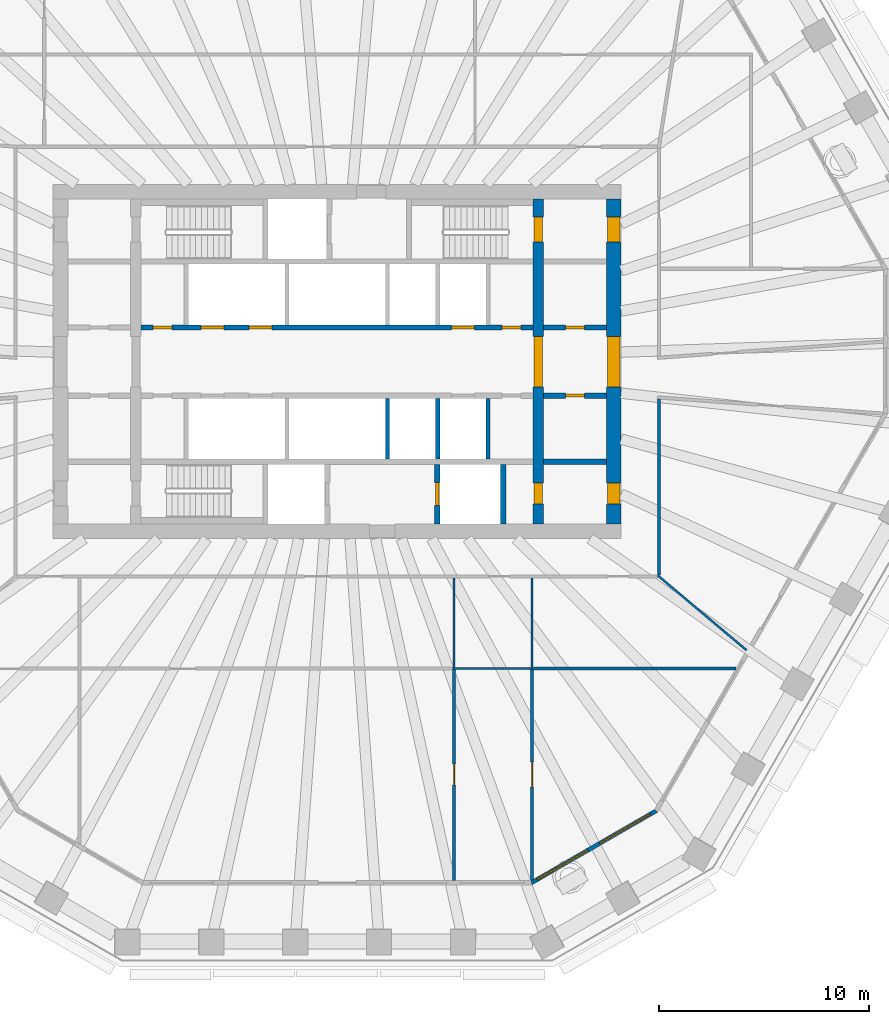
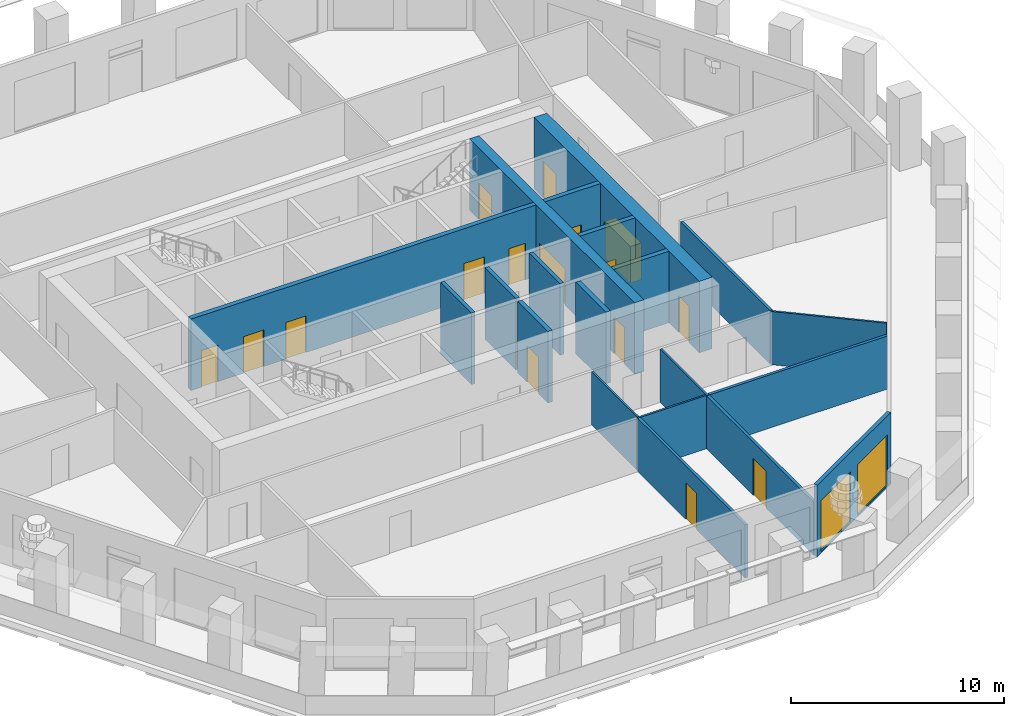
# One storey, part 5 of 12: 20 walls, 16 doors, 2 windows, 18 openings.
"""IFC4 building model written with IfcOpenShell, lengths in metres."""

from ifc_helpers import new_model, si_unit, direction, frame, frame_2d, origin, place, context, subcontext, project, spatial, polyline, rectangle, outline, extrude, material, layer, layer_set, type_object, element, fill, save


model = new_model("IFC4")

# Units and contexts
model_context = context("Model", 3, precision=1e-05, world=origin(), true_north=direction((0.0, 1.0)))
body_context = subcontext(model_context, "Body", "Model", "MODEL_VIEW")
ifc_project = project(units=[si_unit("LENGTHUNIT", "METRE"), si_unit("AREAUNIT", "SQUARE_METRE"), si_unit("VOLUMEUNIT", "CUBIC_METRE"), si_unit("PLANEANGLEUNIT", "RADIAN"), si_unit("MASSUNIT", "GRAM", prefix="KILO")], contexts=[model_context])

# Site, building, storey
site_placement = place(None, origin())
site = spatial("IfcSite", under=ifc_project, at=site_placement, CompositionType="ELEMENT")
building_placement = place(site_placement, origin())
building = spatial("IfcBuilding", under=site, at=building_placement, Name="Frailejon Research Tower", CompositionType="ELEMENT")
storey_placement = place(building_placement, frame((0.0, 0.0, 176.0)))
storey = spatial("IfcBuildingStorey", under=building, at=storey_placement, Name="L38", CompositionType="ELEMENT", Elevation=176.0)

# Wall, openings, doors
ifc_material_1 = material(Name="Concrete C60/75", Category="concrete")
ifc_layer_1 = layer(ifc_material_1, 0.5)
ifc_layer_set_1 = layer_set([ifc_layer_1], Name="Core shear wall 500 C60/75")
wall_type_1 = type_object("IfcWallType", Name="Core shear wall 500 C60/75", PredefinedType="SHEAR", material=ifc_layer_set_1)
wall_1_placement = place(storey_placement, frame((9.60009765625, -7.75, 0.0), z_axis=(0.0, 0.0, 1.0), x_axis=(0.0, 1.0, 0.0)))
wall_1 = element("IfcWall", 1, at=wall_1_placement, inside=storey, type_object=wall_type_1, Name="Core shear wall", PredefinedType="SHEAR", context=body_context, shape_type="SweptSolid", body=[
    extrude(rectangle(XDim=15.5, YDim=0.5, at=frame_2d((7.75, 0.0))), origin(), (0.0, 0.0, 1.0), 4.10009765625),
])
opening_1_placement = place(wall_1_placement, frame((6.550048828125, 0.0, 0.0)))
opening_1 = element("IfcOpeningElement", 2, at=opening_1_placement, cuts=wall_1, Name="Opening D2", PredefinedType="OPENING", context=body_context, shape_type="SweptSolid", body=[
    extrude(rectangle(XDim=2.39990234375, YDim=2.10009765625, at=frame_2d((1.199951171875, 1.050048828125))), frame((0.0, 0.260009765625, 0.0), z_axis=(0.0, -1.0, 0.0), x_axis=(1.0, 0.0, 0.0)), (0.0, 0.0, 1.0), 0.52001953125),
])
opening_2_placement = place(wall_1_placement, frame((13.449951171875, 0.0, 0.0)))
opening_2 = element("IfcOpeningElement", 3, at=opening_2_placement, cuts=wall_1, Name="Opening D1", PredefinedType="OPENING", context=body_context, shape_type="SweptSolid", body=[
    extrude(rectangle(XDim=1.199951171875, YDim=2.10009765625, at=frame_2d((0.60009765625, 1.050048828125))), frame((0.0, 0.260009765625, 0.0), z_axis=(0.0, -1.0, 0.0), x_axis=(1.0, 0.0, 0.0)), (0.0, 0.0, 1.0), 0.52001953125),
])
opening_3_placement = place(wall_1_placement, frame((0.949951171875, 0.0, 0.0)))
opening_3 = element("IfcOpeningElement", 4, at=opening_3_placement, cuts=wall_1, Name="Opening D4", PredefinedType="OPENING", context=body_context, shape_type="SweptSolid", body=[
    extrude(rectangle(XDim=1.0, YDim=2.10009765625, at=frame_2d((0.5, 1.050048828125))), frame((0.0, 0.260009765625, 0.0), z_axis=(0.0, -1.0, 0.0), x_axis=(1.0, 0.0, 0.0)), (0.0, 0.0, 1.0), 0.52001953125),
])
ifc_material_2 = material(Name="Steel", Category="steel")
door_type_1 = type_object("IfcDoorType", Name="Lobby double door", OperationType="DOUBLE_DOOR_SINGLE_SWING", PredefinedType="DOOR", material=ifc_material_2)
door_1_placement = place(opening_1_placement, origin())
door_1 = element("IfcDoor", 5, at=door_1_placement, inside=storey, type_object=door_type_1, Name="Lobby door", OperationType="DOUBLE_DOOR_SINGLE_SWING", OverallHeight=2.10009765625, OverallWidth=2.39990234375, PredefinedType="DOOR", context=body_context, shape_type="SweptSolid", body=[
    extrude(rectangle(XDim=2.39990234375, YDim=2.10009765625, at=frame_2d((1.199951171875, 1.050048828125))), frame((0.0, 0.199951171875, 0.0), z_axis=(0.0, -1.0, 0.0), x_axis=(1.0, 0.0, 0.0)), (0.0, 0.0, 1.0), 0.39990234375),
])
fill(opening_1, door_1)
ifc_material_3 = material(Name="Steel", Category="steel")
door_type_2 = type_object("IfcDoorType", Name="Service door", OperationType="SINGLE_SWING_LEFT", PredefinedType="DOOR", material=ifc_material_3)
door_2_placement = place(opening_3_placement, origin())
door_2 = element("IfcDoor", 6, at=door_2_placement, inside=storey, type_object=door_type_2, Name="Riser door", OperationType="SINGLE_SWING_LEFT", OverallHeight=2.10009765625, OverallWidth=1.0, PredefinedType="DOOR", context=body_context, shape_type="SweptSolid", body=[
    extrude(rectangle(XDim=1.0, YDim=2.10009765625, at=frame_2d((0.5, 1.050048828125))), frame((0.0, 0.199951171875, 0.0), z_axis=(0.0, -1.0, 0.0), x_axis=(1.0, 0.0, 0.0)), (0.0, 0.0, 1.0), 0.39990234375),
])
fill(opening_3, door_2)
ifc_material_4 = material(Name="Steel", Category="steel")
door_type_3 = type_object("IfcDoorType", Name="Stair door", OperationType="SINGLE_SWING_LEFT", PredefinedType="DOOR", material=ifc_material_4)
door_3_placement = place(opening_2_placement, origin())
door_3 = element("IfcDoor", 7, at=door_3_placement, inside=storey, type_object=door_type_3, Name="Stair door ST3", OperationType="SINGLE_SWING_LEFT", OverallHeight=2.10009765625, OverallWidth=1.199951171875, PredefinedType="DOOR", context=body_context, shape_type="SweptSolid", body=[
    extrude(rectangle(XDim=1.199951171875, YDim=2.10009765625, at=frame_2d((0.60009765625, 1.050048828125))), frame((0.0, 0.199951171875, 0.0), z_axis=(0.0, -1.0, 0.0), x_axis=(1.0, 0.0, 0.0)), (0.0, 0.0, 1.0), 0.39990234375),
])
fill(opening_2, door_3)

ifc_material_5 = material(Name="Concrete C60/75", Category="concrete")
ifc_layer_2 = layer(ifc_material_5, 0.699951171875)
ifc_layer_set_2 = layer_set([ifc_layer_2], Name="Core shear wall 700 C60/75")
wall_type_2 = type_object("IfcWallType", Name="Core shear wall 700 C60/75", PredefinedType="SHEAR", material=ifc_layer_set_2)
wall_2_placement = place(storey_placement, frame((13.199951171875, -7.75, 0.0), z_axis=(0.0, 0.0, 1.0), x_axis=(0.0, 1.0, 0.0)))
wall_2 = element("IfcWall", 8, at=wall_2_placement, inside=storey, type_object=wall_type_2, Name="Core shear wall", PredefinedType="SHEAR", context=body_context, shape_type="SweptSolid", body=[
    extrude(rectangle(XDim=15.5, YDim=0.699951171875, at=frame_2d((7.75, 0.0))), origin(), (0.0, 0.0, 1.0), 4.10009765625),
])
opening_4_placement = place(wall_2_placement, frame((6.550048828125, 0.0, 0.0)))
opening_4 = element("IfcOpeningElement", 9, at=opening_4_placement, cuts=wall_2, Name="Opening D2", PredefinedType="OPENING", context=body_context, shape_type="SweptSolid", body=[
    extrude(rectangle(XDim=2.39990234375, YDim=2.10009765625, at=frame_2d((1.199951171875, 1.050048828125))), frame((0.0, 0.35986328125, 0.0), z_axis=(0.0, -1.0, 0.0), x_axis=(1.0, 0.0, 0.0)), (0.0, 0.0, 1.0), 0.719970703125),
])
opening_5_placement = place(wall_2_placement, frame((13.449951171875, 0.0, 0.0)))
opening_5 = element("IfcOpeningElement", 10, at=opening_5_placement, cuts=wall_2, Name="Opening D7", PredefinedType="OPENING", context=body_context, shape_type="SweptSolid", body=[
    extrude(rectangle(XDim=1.199951171875, YDim=2.10009765625, at=frame_2d((0.60009765625, 1.050048828125))), frame((0.0, 0.35986328125, 0.0), z_axis=(0.0, -1.0, 0.0), x_axis=(1.0, 0.0, 0.0)), (0.0, 0.0, 1.0), 0.719970703125),
])
opening_6_placement = place(wall_2_placement, frame((0.949951171875, 0.0, 0.0)))
opening_6 = element("IfcOpeningElement", 11, at=opening_6_placement, cuts=wall_2, Name="Opening D4", PredefinedType="OPENING", context=body_context, shape_type="SweptSolid", body=[
    extrude(rectangle(XDim=1.0, YDim=2.10009765625, at=frame_2d((0.5, 1.050048828125))), frame((0.0, 0.35986328125, 0.0), z_axis=(0.0, -1.0, 0.0), x_axis=(1.0, 0.0, 0.0)), (0.0, 0.0, 1.0), 0.719970703125),
])
door_4_placement = place(opening_4_placement, origin())
door_4 = element("IfcDoor", 12, at=door_4_placement, inside=storey, type_object=door_type_1, Name="Lobby door", OperationType="DOUBLE_DOOR_SINGLE_SWING", OverallHeight=2.10009765625, OverallWidth=2.39990234375, PredefinedType="DOOR", context=body_context, shape_type="SweptSolid", body=[
    extrude(rectangle(XDim=2.39990234375, YDim=2.10009765625, at=frame_2d((1.199951171875, 1.050048828125))), frame((0.0, 0.300048828125, 0.0), z_axis=(0.0, -1.0, 0.0), x_axis=(1.0, 0.0, 0.0)), (0.0, 0.0, 1.0), 0.60009765625),
])
fill(opening_4, door_4)
door_5_placement = place(opening_6_placement, origin())
door_5 = element("IfcDoor", 13, at=door_5_placement, inside=storey, type_object=door_type_2, Name="Store door", OperationType="SINGLE_SWING_RIGHT", OverallHeight=2.10009765625, OverallWidth=1.0, PredefinedType="DOOR", context=body_context, shape_type="SweptSolid", body=[
    extrude(rectangle(XDim=1.0, YDim=2.10009765625, at=frame_2d((0.5, 1.050048828125))), frame((0.0, 0.300048828125, 0.0), z_axis=(0.0, -1.0, 0.0), x_axis=(1.0, 0.0, 0.0)), (0.0, 0.0, 1.0), 0.60009765625),
])
fill(opening_6, door_5)
ifc_material_6 = material(Name="Steel", Category="steel")
door_type_4 = type_object("IfcDoorType", Name="Stair exit door", OperationType="SINGLE_SWING_LEFT", PredefinedType="DOOR", material=ifc_material_6)
door_6_placement = place(opening_5_placement, origin())
door_6 = element("IfcDoor", 14, at=door_6_placement, inside=storey, type_object=door_type_4, Name="Stair exit door ST3", OperationType="SINGLE_SWING_RIGHT", OverallHeight=2.10009765625, OverallWidth=1.199951171875, PredefinedType="DOOR", context=body_context, shape_type="SweptSolid", body=[
    extrude(rectangle(XDim=1.199951171875, YDim=2.10009765625, at=frame_2d((0.60009765625, 1.050048828125))), frame((0.0, 0.300048828125, 0.0), z_axis=(0.0, -1.0, 0.0), x_axis=(1.0, 0.0, 0.0)), (0.0, 0.0, 1.0), 0.60009765625),
])
fill(opening_5, door_6)

# Walls
ifc_material_7 = material(Name="Gypsum board and masonry partition", Category="masonry")
ifc_layer_3 = layer(ifc_material_7, 0.14990234375)
ifc_layer_set_3 = layer_set([ifc_layer_3], Name="Corridor wall EI 60, gypsum on steel studs 150")
wall_type_3 = type_object("IfcWallType", Name="Corridor wall EI 60, gypsum on steel studs 150", PredefinedType="PARTITIONING", material=ifc_layer_set_3)
wall_3_placement = place(storey_placement, frame((15.35009765625, -10.175048828125, 0.0), z_axis=(0.0, 0.0, 1.0), x_axis=(0.0, 1.0, 0.0)))
element("IfcWall", 15, at=wall_3_placement, inside=storey, type_object=wall_type_3, Name="T:IW:L38:001", PredefinedType="PARTITIONING", context=body_context, shape_type="SweptSolid", body=[
    extrude(rectangle(XDim=8.385986328125, YDim=0.14990234375, at=frame_2d((4.19287109375, 0.0))), origin(), (0.0, 0.0, 1.0), 3.050048828125),
])
ifc_material_8 = material(Name="Gypsum board and masonry partition", Category="masonry")
ifc_layer_4 = layer(ifc_material_8, 0.14990234375)
ifc_layer_set_4 = layer_set([ifc_layer_4], Name="Laboratory partition, blockwork 150")
wall_type_4 = type_object("IfcWallType", Name="Laboratory partition, blockwork 150", PredefinedType="PARTITIONING", material=ifc_layer_set_4)
wall_4_placement = place(storey_placement, frame((9.37255859375, -14.64990234375, 0.0), z_axis=(0.0, 0.0, 1.0), x_axis=(1.0, 0.0, 0.0)))
element("IfcWall", 16, at=wall_4_placement, inside=storey, type_object=wall_type_4, Name="T:IW:L38:021", PredefinedType="PARTITIONING", context=body_context, shape_type="SweptSolid", body=[
    extrude(rectangle(XDim=9.651123046875, YDim=0.14990234375, at=frame_2d((4.82568359375, 0.0))), origin(), (0.0, 0.0, 1.0), 3.050048828125),
])

# Wall, opening, door
wall_5_placement = place(storey_placement, frame((5.57861328125, -24.767822265625, 0.0), z_axis=(0.0, 0.0, 1.0), x_axis=(0.0, 1.0, 0.0)))
wall_5 = element("IfcWall", 17, at=wall_5_placement, inside=storey, type_object=wall_type_4, Name="T:IW:L38:023", PredefinedType="PARTITIONING", context=body_context, shape_type="SweptSolid", body=[
    extrude(rectangle(XDim=10.06787109375, YDim=0.14990234375, at=frame_2d((5.033935546875, 0.0))), origin(), (0.0, 0.0, 1.0), 3.050048828125),
])
opening_7_placement = place(wall_5_placement, frame((4.55908203125, 0.0, 0.0)))
opening_7 = element("IfcOpeningElement", 18, at=opening_7_placement, cuts=wall_5, Name="Opening D1838", PredefinedType="OPENING", context=body_context, shape_type="SweptSolid", body=[
    extrude(rectangle(XDim=1.0, YDim=2.10009765625, at=frame_2d((0.5, 1.050048828125))), frame((0.0, 0.0849609375, 0.0), z_axis=(0.0, -1.0, 0.0), x_axis=(1.0, 0.0, 0.0)), (0.0, 0.0, 1.0), 0.169921875),
])
ifc_material_9 = material(Name="Timber door leaf", Category="wood")
door_type_5 = type_object("IfcDoorType", Name="Door single leaf, timber, steel frame 1000", OperationType="NOTDEFINED", PredefinedType="DOOR", material=ifc_material_9)
door_7_placement = place(opening_7_placement, origin())
door_7 = element("IfcDoor", 19, at=door_7_placement, inside=storey, type_object=door_type_5, Name="D1838", OperationType="SINGLE_SWING_RIGHT", OverallHeight=2.10009765625, OverallWidth=1.0, PredefinedType="DOOR", context=body_context, shape_type="SweptSolid", body=[
    extrude(rectangle(XDim=1.0, YDim=2.10009765625, at=frame_2d((0.5, 1.050048828125))), frame((0.0, 0.02490234375, 0.0), z_axis=(0.0, -1.0, 0.0), x_axis=(1.0, 0.0, 0.0)), (0.0, 0.0, 1.0), 0.050048828125),
])
fill(opening_7, door_7)

wall_6_placement = place(storey_placement, frame((9.297607421875, -24.737060546875, 0.0), z_axis=(0.0, 0.0, 1.0), x_axis=(0.0, 1.0, 0.0)))
wall_6 = element("IfcWall", 20, at=wall_6_placement, inside=storey, type_object=wall_type_4, Name="T:IW:L38:024", PredefinedType="PARTITIONING", context=body_context, shape_type="SweptSolid", body=[
    extrude(rectangle(XDim=10.037109375, YDim=0.14990234375, at=frame_2d((5.0185546875, 0.0))), origin(), (0.0, 0.0, 1.0), 3.050048828125),
])
opening_8_placement = place(wall_6_placement, frame((4.443603515625, 0.0, 0.0)))
opening_8 = element("IfcOpeningElement", 21, at=opening_8_placement, cuts=wall_6, Name="Opening D1840", PredefinedType="OPENING", context=body_context, shape_type="SweptSolid", body=[
    extrude(rectangle(XDim=1.199951171875, YDim=2.10009765625, at=frame_2d((0.60009765625, 1.050048828125))), frame((0.0, 0.0849609375, 0.0), z_axis=(0.0, -1.0, 0.0), x_axis=(1.0, 0.0, 0.0)), (0.0, 0.0, 1.0), 0.169921875),
])
ifc_material_10 = material(Name="Timber door leaf", Category="wood")
door_type_6 = type_object("IfcDoorType", Name="Door laboratory, timber, vision panel 1200", OperationType="NOTDEFINED", PredefinedType="DOOR", material=ifc_material_10)
door_8_placement = place(opening_8_placement, origin())
door_8 = element("IfcDoor", 22, at=door_8_placement, inside=storey, type_object=door_type_6, Name="D1840", OperationType="DOUBLE_DOOR_SINGLE_SWING", OverallHeight=2.10009765625, OverallWidth=1.199951171875, PredefinedType="DOOR", context=body_context, shape_type="SweptSolid", body=[
    extrude(rectangle(XDim=1.199951171875, YDim=2.10009765625, at=frame_2d((0.60009765625, 1.050048828125))), frame((0.0, 0.02490234375, 0.0), z_axis=(0.0, -1.0, 0.0), x_axis=(1.0, 0.0, 0.0)), (0.0, 0.0, 1.0), 0.050048828125),
])
fill(opening_8, door_8)

# Walls
ifc_material_11 = material(Name="Gypsum board and masonry partition", Category="masonry")
ifc_layer_5 = layer(ifc_material_11, 0.10009765625)
ifc_layer_set_5 = layer_set([ifc_layer_5], Name="Partition, gypsum on steel studs 100")
wall_type_5 = type_object("IfcWallType", Name="Partition, gypsum on steel studs 100", PredefinedType="PARTITIONING", material=ifc_layer_set_5)
wall_7_placement = place(storey_placement, frame((5.57861328125, -14.60009765625, 0.0), z_axis=(0.0, 0.0, 1.0), x_axis=(0.0, 1.0, 0.0)))
element("IfcWall", 23, at=wall_7_placement, inside=storey, type_object=wall_type_5, Name="T:IW:L38:026", PredefinedType="PARTITIONING", context=body_context, shape_type="SweptSolid", body=[
    extrude(rectangle(XDim=4.275146484375, YDim=0.10009765625, at=frame_2d((2.1376953125, 0.0))), origin(), (0.0, 0.0, 1.0), 3.050048828125),
])
wall_8_placement = place(storey_placement, frame((5.50341796875, -14.64990234375, 0.0), z_axis=(0.0, 0.0, 1.0), x_axis=(1.0, 0.0, 0.0)))
element("IfcWall", 24, at=wall_8_placement, inside=storey, type_object=wall_type_5, Name="T:IW:L38:027", PredefinedType="PARTITIONING", context=body_context, shape_type="SweptSolid", body=[
    extrude(rectangle(XDim=3.744140625, YDim=0.10009765625, at=frame_2d((1.8720703125, 0.0))), origin(), (0.0, 0.0, 1.0), 3.050048828125),
])
wall_9_placement = place(storey_placement, frame((9.297607421875, -14.72509765625, 0.0), z_axis=(0.0, 0.0, 1.0), x_axis=(0.0, 1.0, 0.0)))
element("IfcWall", 25, at=wall_9_placement, inside=storey, type_object=wall_type_5, Name="T:IW:L38:028", PredefinedType="PARTITIONING", context=body_context, shape_type="SweptSolid", body=[
    extrude(rectangle(XDim=4.400146484375, YDim=0.10009765625, at=frame_2d((2.2001953125, 0.0))), origin(), (0.0, 0.0, 1.0), 3.050048828125),
])
wall_10_placement = place(storey_placement, frame((15.29248046875, -10.20166015625, 0.0), z_axis=(0.0, 0.0, 1.0), x_axis=(0.765048286371, -0.643972918313, 0.0)))
element("IfcWall", 26, at=wall_10_placement, inside=storey, type_object=wall_type_5, Name="T:IW:L38:029", PredefinedType="PARTITIONING", context=body_context, shape_type="SweptSolid", body=[
    extrude(rectangle(XDim=5.541259765625, YDim=0.10009765625, at=frame_2d((2.7705078125, 0.0))), origin(), (0.0, 0.0, 1.0), 3.050048828125),
])
ifc_material_12 = material(Name="Concrete C60/75", Category="concrete")
ifc_layer_6 = layer(ifc_material_12, 0.199951171875)
ifc_layer_set_6 = layer_set([ifc_layer_6], Name="Shaft wall 200 C60/75")
wall_type_6 = type_object("IfcWallType", Name="Shaft wall 200 C60/75", PredefinedType="SOLIDWALL", material=ifc_layer_set_6)
for number, where, z_axis, x_axis, name in (
    (27, (2.39990234375, -4.64990234375, 0.0), (0.0, 0.0, 1.0), (0.0, 1.0, 0.0), "Shaft wall"),
    (28, (4.800048828125, -4.64990234375, 0.0), (0.0, 0.0, 1.0), (0.0, 1.0, 0.0), "Shaft wall"),
    (29, (7.199951171875, -4.64990234375, 0.0), (0.0, 0.0, 1.0), (0.0, 1.0, 0.0), "Shaft wall"),
):
    element("IfcWall", number, at=place(storey_placement, frame(where, z_axis=z_axis, x_axis=x_axis)), inside=storey, type_object=wall_type_6, Name=name, PredefinedType="SOLIDWALL", context=body_context, shape_type="SweptSolid", body=[
        extrude(rectangle(XDim=2.89990234375, YDim=0.199951171875, at=frame_2d((1.449951171875, 0.0))), origin(), (0.0, 0.0, 1.0), 4.10009765625),
    ])

# Wall, openings, doors
ifc_material_13 = material(Name="Concrete C60/75", Category="concrete")
ifc_layer_7 = layer(ifc_material_13, 0.25)
ifc_layer_set_7 = layer_set([ifc_layer_7], Name="Shaft wall 250 C60/75")
wall_type_7 = type_object("IfcWallType", Name="Shaft wall 250 C60/75", PredefinedType="SOLIDWALL", material=ifc_layer_set_7)
wall_11_placement = place(storey_placement, frame((-9.35009765625, 1.625, 0.0), z_axis=(0.0, 0.0, 1.0), x_axis=(1.0, 0.0, 0.0)))
wall_11 = element("IfcWall", 30, at=wall_11_placement, inside=storey, type_object=wall_type_7, Name="Shaft wall", PredefinedType="SOLIDWALL", context=body_context, shape_type="SweptSolid", body=[
    extrude(rectangle(XDim=18.7001953125, YDim=0.25, at=frame_2d((9.35009765625, 0.0))), origin(), (0.0, 0.0, 1.0), 4.10009765625),
])
opening_9_placement = place(wall_11_placement, frame((2.85009765625, 0.0, 0.0)))
opening_9 = element("IfcOpeningElement", 31, at=opening_9_placement, cuts=wall_11, Name="Opening LD", PredefinedType="OPENING", context=body_context, shape_type="SweptSolid", body=[
    extrude(rectangle(XDim=1.10009765625, YDim=2.10009765625, at=frame_2d((0.550048828125, 1.050048828125))), frame((0.0, 0.135009765625, 0.0), z_axis=(0.0, -1.0, 0.0), x_axis=(1.0, 0.0, 0.0)), (0.0, 0.0, 1.0), 0.27001953125),
])
opening_10_placement = place(wall_11_placement, frame((5.14990234375, 0.0, 0.0)))
opening_10 = element("IfcOpeningElement", 32, at=opening_10_placement, cuts=wall_11, Name="Opening LD", PredefinedType="OPENING", context=body_context, shape_type="SweptSolid", body=[
    extrude(rectangle(XDim=1.10009765625, YDim=2.10009765625, at=frame_2d((0.550048828125, 1.050048828125))), frame((0.0, 0.135009765625, 0.0), z_axis=(0.0, -1.0, 0.0), x_axis=(1.0, 0.0, 0.0)), (0.0, 0.0, 1.0), 0.27001953125),
])
opening_11_placement = place(wall_11_placement, frame((14.800048828125, 0.0, 0.0)))
opening_11 = element("IfcOpeningElement", 33, at=opening_11_placement, cuts=wall_11, Name="Opening LD", PredefinedType="OPENING", context=body_context, shape_type="SweptSolid", body=[
    extrude(rectangle(XDim=1.10009765625, YDim=2.10009765625, at=frame_2d((0.550048828125, 1.050048828125))), frame((0.0, 0.135009765625, 0.0), z_axis=(0.0, -1.0, 0.0), x_axis=(1.0, 0.0, 0.0)), (0.0, 0.0, 1.0), 0.27001953125),
])
opening_12_placement = place(wall_11_placement, frame((0.574951171875, 0.0, 0.0)))
opening_12 = element("IfcOpeningElement", 34, at=opening_12_placement, cuts=wall_11, Name="Opening D8", PredefinedType="OPENING", context=body_context, shape_type="SweptSolid", body=[
    extrude(rectangle(XDim=0.89990234375, YDim=2.10009765625, at=frame_2d((0.449951171875, 1.050048828125))), frame((0.0, 0.135009765625, 0.0), z_axis=(0.0, -1.0, 0.0), x_axis=(1.0, 0.0, 0.0)), (0.0, 0.0, 1.0), 0.27001953125),
])
opening_13_placement = place(wall_11_placement, frame((17.22509765625, 0.0, 0.0)))
opening_13 = element("IfcOpeningElement", 35, at=opening_13_placement, cuts=wall_11, Name="Opening D8", PredefinedType="OPENING", context=body_context, shape_type="SweptSolid", body=[
    extrude(rectangle(XDim=0.89990234375, YDim=2.10009765625, at=frame_2d((0.449951171875, 1.050048828125))), frame((0.0, 0.135009765625, 0.0), z_axis=(0.0, -1.0, 0.0), x_axis=(1.0, 0.0, 0.0)), (0.0, 0.0, 1.0), 0.27001953125),
])
ifc_material_14 = material(Name="Steel", Category="steel")
door_type_7 = type_object("IfcDoorType", Name="Core room door", OperationType="SINGLE_SWING_LEFT", PredefinedType="DOOR", material=ifc_material_14)
door_9_placement = place(opening_12_placement, origin())
door_9 = element("IfcDoor", 36, at=door_9_placement, inside=storey, type_object=door_type_7, Name="Room door", OperationType="SINGLE_SWING_RIGHT", OverallHeight=2.10009765625, OverallWidth=0.89990234375, PredefinedType="DOOR", context=body_context, shape_type="SweptSolid", body=[
    extrude(rectangle(XDim=0.89990234375, YDim=2.10009765625, at=frame_2d((0.449951171875, 1.050048828125))), frame((0.0, 0.074951171875, 0.0), z_axis=(0.0, -1.0, 0.0), x_axis=(1.0, 0.0, 0.0)), (0.0, 0.0, 1.0), 0.14990234375),
])
fill(opening_12, door_9)
door_10_placement = place(opening_13_placement, origin())
door_10 = element("IfcDoor", 37, at=door_10_placement, inside=storey, type_object=door_type_7, Name="Room door", OperationType="SINGLE_SWING_LEFT", OverallHeight=2.10009765625, OverallWidth=0.89990234375, PredefinedType="DOOR", context=body_context, shape_type="SweptSolid", body=[
    extrude(rectangle(XDim=0.89990234375, YDim=2.10009765625, at=frame_2d((0.449951171875, 1.050048828125))), frame((0.0, 0.074951171875, 0.0), z_axis=(0.0, -1.0, 0.0), x_axis=(1.0, 0.0, 0.0)), (0.0, 0.0, 1.0), 0.14990234375),
])
fill(opening_13, door_10)
ifc_material_15 = material(Name="Steel", Category="steel")
door_type_8 = type_object("IfcDoorType", Name="Lift landing door", OperationType="DOUBLE_DOOR_SLIDING", PredefinedType="DOOR", material=ifc_material_15)
door_11_placement = place(opening_9_placement, origin())
door_11 = element("IfcDoor", 38, at=door_11_placement, inside=storey, type_object=door_type_8, Name="Lift landing door", OperationType="DOUBLE_DOOR_SLIDING", OverallHeight=2.10009765625, OverallWidth=1.10009765625, PredefinedType="DOOR", context=body_context, shape_type="SweptSolid", body=[
    extrude(rectangle(XDim=1.10009765625, YDim=2.10009765625, at=frame_2d((0.550048828125, 1.050048828125))), frame((0.0, 0.074951171875, 0.0), z_axis=(0.0, -1.0, 0.0), x_axis=(1.0, 0.0, 0.0)), (0.0, 0.0, 1.0), 0.14990234375),
])
fill(opening_9, door_11)
door_12_placement = place(opening_10_placement, origin())
door_12 = element("IfcDoor", 39, at=door_12_placement, inside=storey, type_object=door_type_8, Name="Lift landing door", OperationType="DOUBLE_DOOR_SLIDING", OverallHeight=2.10009765625, OverallWidth=1.10009765625, PredefinedType="DOOR", context=body_context, shape_type="SweptSolid", body=[
    extrude(rectangle(XDim=1.10009765625, YDim=2.10009765625, at=frame_2d((0.550048828125, 1.050048828125))), frame((0.0, 0.074951171875, 0.0), z_axis=(0.0, -1.0, 0.0), x_axis=(1.0, 0.0, 0.0)), (0.0, 0.0, 1.0), 0.14990234375),
])
fill(opening_10, door_12)
door_13_placement = place(opening_11_placement, origin())
door_13 = element("IfcDoor", 40, at=door_13_placement, inside=storey, type_object=door_type_8, Name="Lift landing door", OperationType="DOUBLE_DOOR_SLIDING", OverallHeight=2.10009765625, OverallWidth=1.10009765625, PredefinedType="DOOR", context=body_context, shape_type="SweptSolid", body=[
    extrude(rectangle(XDim=1.10009765625, YDim=2.10009765625, at=frame_2d((0.550048828125, 1.050048828125))), frame((0.0, 0.074951171875, 0.0), z_axis=(0.0, -1.0, 0.0), x_axis=(1.0, 0.0, 0.0)), (0.0, 0.0, 1.0), 0.14990234375),
])
fill(opening_11, door_13)

# Wall, opening, door
wall_12_placement = place(storey_placement, frame((9.85009765625, 1.625, 0.0), z_axis=(0.0, 0.0, 1.0), x_axis=(1.0, 0.0, 0.0)))
wall_12 = element("IfcWall", 41, at=wall_12_placement, inside=storey, type_object=wall_type_7, Name="Shaft wall", PredefinedType="SOLIDWALL", context=body_context, shape_type="SweptSolid", body=[
    extrude(rectangle(XDim=3.0, YDim=0.25, at=frame_2d((1.5, 0.0))), origin(), (0.0, 0.0, 1.0), 4.10009765625),
])
opening_14_placement = place(wall_12_placement, frame((1.050048828125, 0.0, 0.0)))
opening_14 = element("IfcOpeningElement", 42, at=opening_14_placement, cuts=wall_12, Name="Opening D8", PredefinedType="OPENING", context=body_context, shape_type="SweptSolid", body=[
    extrude(rectangle(XDim=0.89990234375, YDim=2.10009765625, at=frame_2d((0.449951171875, 1.050048828125))), frame((0.0, 0.135009765625, 0.0), z_axis=(0.0, -1.0, 0.0), x_axis=(1.0, 0.0, 0.0)), (0.0, 0.0, 1.0), 0.27001953125),
])
door_14_placement = place(opening_14_placement, origin())
door_14 = element("IfcDoor", 43, at=door_14_placement, inside=storey, type_object=door_type_7, Name="Room door", OperationType="SINGLE_SWING_RIGHT", OverallHeight=2.10009765625, OverallWidth=0.89990234375, PredefinedType="DOOR", context=body_context, shape_type="SweptSolid", body=[
    extrude(rectangle(XDim=0.89990234375, YDim=2.10009765625, at=frame_2d((0.449951171875, 1.050048828125))), frame((0.0, 0.074951171875, 0.0), z_axis=(0.0, -1.0, 0.0), x_axis=(1.0, 0.0, 0.0)), (0.0, 0.0, 1.0), 0.14990234375),
])
fill(opening_14, door_14)

wall_13_placement = place(storey_placement, frame((9.85009765625, -1.625, 0.0), z_axis=(0.0, 0.0, 1.0), x_axis=(1.0, 0.0, 0.0)))
wall_13 = element("IfcWall", 44, at=wall_13_placement, inside=storey, type_object=wall_type_7, Name="Shaft wall", PredefinedType="SOLIDWALL", context=body_context, shape_type="SweptSolid", body=[
    extrude(rectangle(XDim=3.0, YDim=0.25, at=frame_2d((1.5, 0.0))), origin(), (0.0, 0.0, 1.0), 4.10009765625),
])
opening_15_placement = place(wall_13_placement, frame((1.050048828125, 0.0, 0.0)))
opening_15 = element("IfcOpeningElement", 45, at=opening_15_placement, cuts=wall_13, Name="Opening D8", PredefinedType="OPENING", context=body_context, shape_type="SweptSolid", body=[
    extrude(rectangle(XDim=0.89990234375, YDim=2.10009765625, at=frame_2d((0.449951171875, 1.050048828125))), frame((0.0, 0.135009765625, 0.0), z_axis=(0.0, -1.0, 0.0), x_axis=(1.0, 0.0, 0.0)), (0.0, 0.0, 1.0), 0.27001953125),
])
door_15_placement = place(opening_15_placement, origin())
door_15 = element("IfcDoor", 46, at=door_15_placement, inside=storey, type_object=door_type_7, Name="Room door", OperationType="SINGLE_SWING_RIGHT", OverallHeight=2.10009765625, OverallWidth=0.89990234375, PredefinedType="DOOR", context=body_context, shape_type="SweptSolid", body=[
    extrude(rectangle(XDim=0.89990234375, YDim=2.10009765625, at=frame_2d((0.449951171875, 1.050048828125))), frame((0.0, 0.074951171875, 0.0), z_axis=(0.0, -1.0, 0.0), x_axis=(1.0, 0.0, 0.0)), (0.0, 0.0, 1.0), 0.14990234375),
])
fill(opening_15, door_15)

# Wall
wall_14_placement = place(storey_placement, frame((9.85009765625, -4.77490234375, 0.0), z_axis=(0.0, 0.0, 1.0), x_axis=(1.0, 0.0, 0.0)))
element("IfcWall", 47, at=wall_14_placement, inside=storey, type_object=wall_type_7, Name="Shaft wall", PredefinedType="SOLIDWALL", context=body_context, shape_type="SweptSolid", body=[
    extrude(rectangle(XDim=3.0, YDim=0.25, at=frame_2d((1.5, 0.0))), origin(), (0.0, 0.0, 1.0), 4.10009765625),
])

# Wall, opening, door
wall_15_placement = place(storey_placement, frame((4.77490234375, -7.75, 0.0), z_axis=(0.0, 0.0, 1.0), x_axis=(0.0, 1.0, 0.0)))
wall_15 = element("IfcWall", 48, at=wall_15_placement, inside=storey, type_object=wall_type_7, Name="Shaft wall", PredefinedType="SOLIDWALL", context=body_context, shape_type="SweptSolid", body=[
    extrude(rectangle(XDim=2.85009765625, YDim=0.25, at=frame_2d((1.425048828125, 0.0))), origin(), (0.0, 0.0, 1.0), 4.10009765625),
])
opening_16_placement = place(wall_15_placement, frame((0.875, 0.0, 0.0)))
opening_16 = element("IfcOpeningElement", 49, at=opening_16_placement, cuts=wall_15, Name="Opening LD", PredefinedType="OPENING", context=body_context, shape_type="SweptSolid", body=[
    extrude(rectangle(XDim=1.10009765625, YDim=2.10009765625, at=frame_2d((0.550048828125, 1.050048828125))), frame((0.0, 0.135009765625, 0.0), z_axis=(0.0, -1.0, 0.0), x_axis=(1.0, 0.0, 0.0)), (0.0, 0.0, 1.0), 0.27001953125),
])
door_16_placement = place(opening_16_placement, origin())
door_16 = element("IfcDoor", 50, at=door_16_placement, inside=storey, type_object=door_type_8, Name="Lift landing door", OperationType="DOUBLE_DOOR_SLIDING", OverallHeight=2.10009765625, OverallWidth=1.10009765625, PredefinedType="DOOR", context=body_context, shape_type="SweptSolid", body=[
    extrude(rectangle(XDim=1.10009765625, YDim=2.10009765625, at=frame_2d((0.550048828125, 1.050048828125))), frame((0.0, 0.074951171875, 0.0), z_axis=(0.0, -1.0, 0.0), x_axis=(1.0, 0.0, 0.0)), (0.0, 0.0, 1.0), 0.14990234375),
])
fill(opening_16, door_16)

# Wall
wall_16_placement = place(storey_placement, frame((7.925048828125, -7.75, 0.0), z_axis=(0.0, 0.0, 1.0), x_axis=(0.0, 1.0, 0.0)))
element("IfcWall", 51, at=wall_16_placement, inside=storey, type_object=wall_type_7, Name="Shaft wall", PredefinedType="SOLIDWALL", context=body_context, shape_type="SweptSolid", body=[
    extrude(rectangle(XDim=2.85009765625, YDim=0.25, at=frame_2d((1.425048828125, 0.0))), origin(), (0.0, 0.0, 1.0), 4.10009765625),
])

# Wall, openings, windows
ifc_material_16 = material(Name="Concrete C40/50 precast window wall panel", Category="concrete")
ifc_layer_8 = layer(ifc_material_16, 0.199951171875)
ifc_layer_set_8 = layer_set([ifc_layer_8], Name="Window wall 200")
wall_type_8 = type_object("IfcWallType", Name="Window wall 200", PredefinedType="SOLIDWALL", material=ifc_layer_set_8)
wall_17_placement = place(storey_placement, frame((9.270751953125, -24.867919921875, 0.0), z_axis=(0.0, 0.0, 1.0), x_axis=(0.866029458321, 0.49999297727, 0.0)))
wall_17 = element("IfcWall", 52, at=wall_17_placement, inside=storey, type_object=wall_type_8, Name="Exterior wall L38", PredefinedType="SOLIDWALL", context=body_context, shape_type="SweptSolid", body=[
    extrude(outline(polyline([(-0.02685546875, -0.10009765625), (1.1279296875, -0.10009765625), (2.282470703125, -0.10009765625), (3.437255859375, -0.10009765625), (4.592041015625, -0.10009765625), (5.74658203125, -0.10009765625), (6.9013671875, -0.10009765625), (6.84765625, 0.10009765625), (5.7109375, 0.10009765625), (4.573974609375, 0.10009765625), (3.437255859375, 0.10009765625), (2.300537109375, 0.10009765625), (1.16357421875, 0.10009765625), (0.02685546875, 0.10009765625), (-0.02685546875, -0.10009765625)])), origin(), (0.0, 0.0, 1.0), 4.10009765625),
])
opening_17_placement = place(wall_17_placement, frame((0.318603515625, 0.0, 0.10009765625)))
opening_17 = element("IfcOpeningElement", 53, at=opening_17_placement, cuts=wall_17, Name="Opening W3", PredefinedType="OPENING", context=body_context, shape_type="SweptSolid", body=[
    extrude(rectangle(XDim=2.800048828125, YDim=2.89990234375, at=frame_2d((1.39990234375, 1.449951171875))), frame((0.0, 0.10986328125, 0.0), z_axis=(0.0, -1.0, 0.0), x_axis=(1.0, 0.0, 0.0)), (0.0, 0.0, 1.0), 0.219970703125),
])
opening_18_placement = place(wall_17_placement, frame((3.756103515625, 0.0, 0.10009765625)))
opening_18 = element("IfcOpeningElement", 54, at=opening_18_placement, cuts=wall_17, Name="Opening W3", PredefinedType="OPENING", context=body_context, shape_type="SweptSolid", body=[
    extrude(rectangle(XDim=2.800048828125, YDim=2.89990234375, at=frame_2d((1.39990234375, 1.449951171875))), frame((0.0, 0.10986328125, 0.0), z_axis=(0.0, -1.0, 0.0), x_axis=(1.0, 0.0, 0.0)), (0.0, 0.0, 1.0), 0.219970703125),
])
ifc_material_17 = material(Name="Aluminium framed double glazing", Category="aluminium")
window_type = type_object("IfcWindowType", Name="Window 2800x2900", PartitioningType="SINGLE_PANEL", PredefinedType="WINDOW", material=ifc_material_17)
window_1_placement = place(opening_17_placement, origin())
window_1 = element("IfcWindow", 55, at=window_1_placement, inside=storey, type_object=window_type, Name="Window L38", OverallHeight=2.89990234375, OverallWidth=2.800048828125, PartitioningType="SINGLE_PANEL", PredefinedType="WINDOW", context=body_context, shape_type="SweptSolid", body=[
    extrude(rectangle(XDim=2.800048828125, YDim=2.89990234375, at=frame_2d((1.39990234375, 1.449951171875))), frame((0.0, 0.030029296875, 0.0), z_axis=(0.0, -1.0, 0.0), x_axis=(1.0, 0.0, 0.0)), (0.0, 0.0, 1.0), 0.06005859375),
])
fill(opening_17, window_1)
window_2_placement = place(opening_18_placement, origin())
window_2 = element("IfcWindow", 56, at=window_2_placement, inside=storey, type_object=window_type, Name="Window L38", OverallHeight=2.89990234375, OverallWidth=2.800048828125, PartitioningType="SINGLE_PANEL", PredefinedType="WINDOW", context=body_context, shape_type="SweptSolid", body=[
    extrude(rectangle(XDim=2.800048828125, YDim=2.89990234375, at=frame_2d((1.39990234375, 1.449951171875))), frame((0.0, 0.030029296875, 0.0), z_axis=(0.0, -1.0, 0.0), x_axis=(1.0, 0.0, 0.0)), (0.0, 0.0, 1.0), 0.06005859375),
])
fill(opening_18, window_2)

save(model, "model.ifc")
